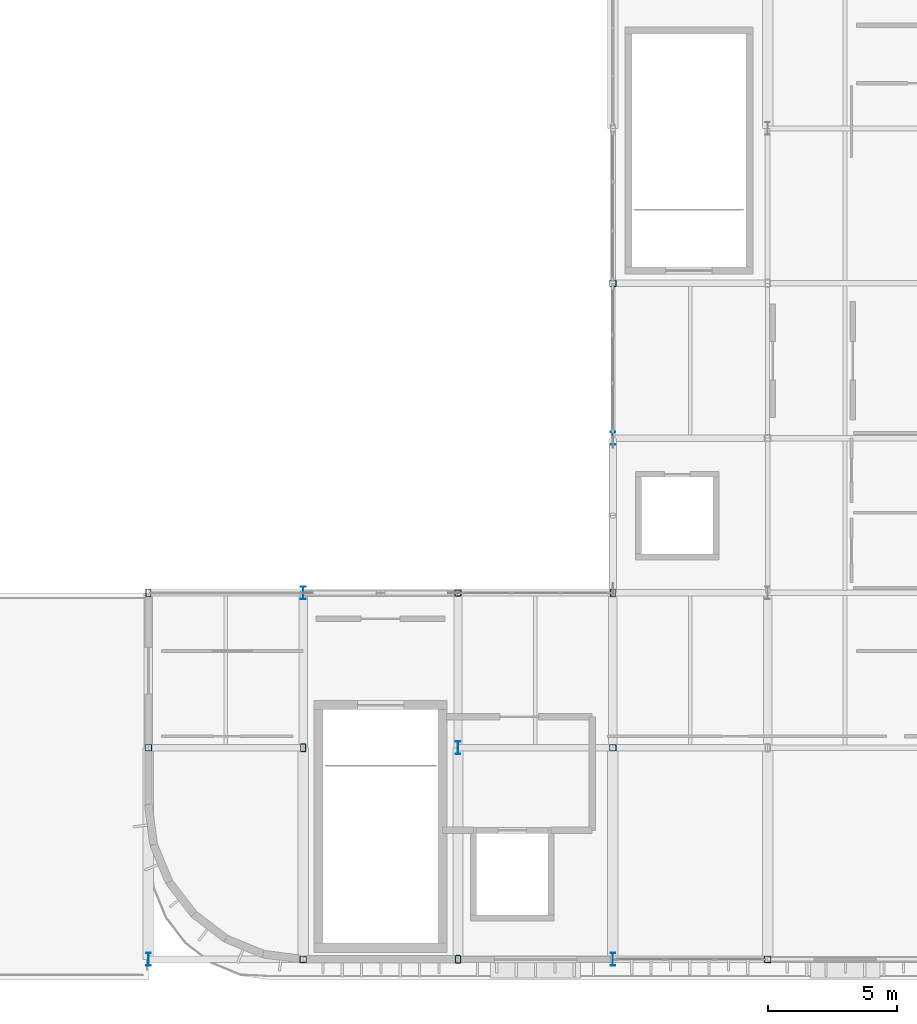
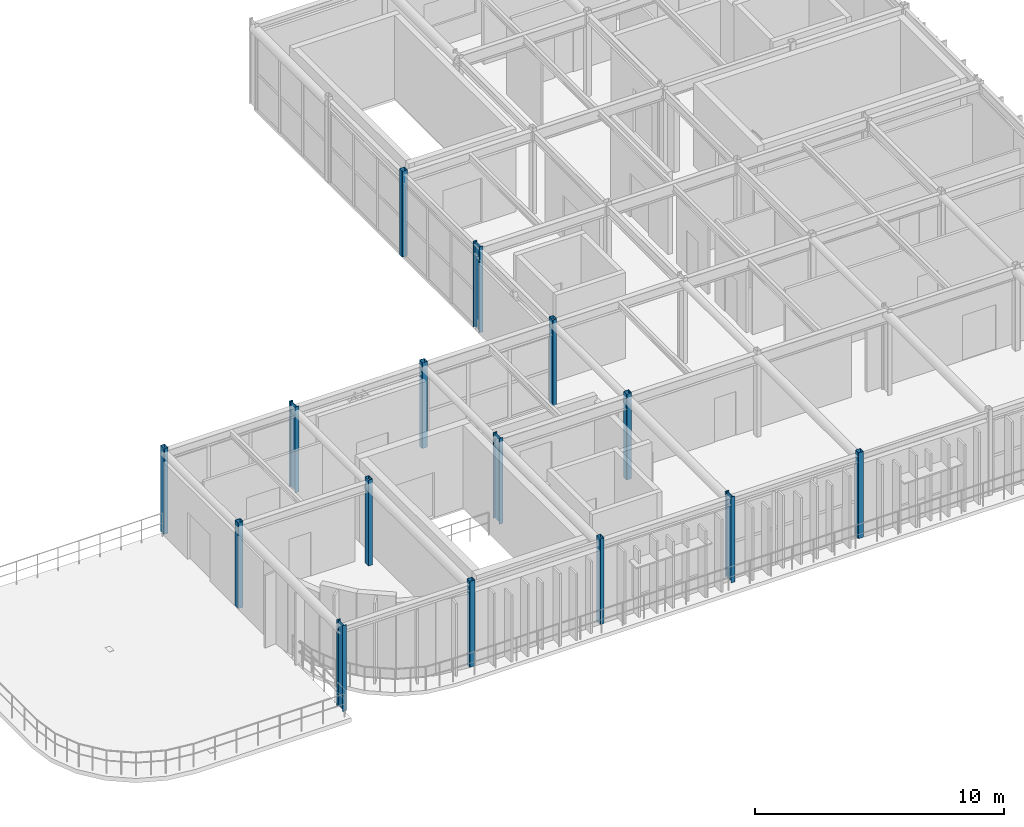
# One storey, part 1 of 14: 15 columns.
"""IFC4 building model written with IfcOpenShell, lengths in metres."""

from ifc_helpers import new_model, si_unit, direction, frame, origin, origin_2d, place, context, subcontext, project, spatial, hollow_rectangle, i_section, extrude, material, material_profile, profile_set, type_object, element, save


model = new_model("IFC4")

# Units and contexts
model_context = context("Model", 3, precision=1e-05, world=origin(), true_north=direction((0.0, 1.0)))
body_context = subcontext(model_context, "Body", "Model", "MODEL_VIEW")
ifc_project = project(units=[si_unit("LENGTHUNIT", "METRE"), si_unit("AREAUNIT", "SQUARE_METRE"), si_unit("VOLUMEUNIT", "CUBIC_METRE"), si_unit("PLANEANGLEUNIT", "RADIAN"), si_unit("MASSUNIT", "GRAM", prefix="KILO")], contexts=[model_context])

# Site, building, storey
site_placement = place(None, origin())
site = spatial("IfcSite", under=ifc_project, at=site_placement, CompositionType="ELEMENT")
building_placement = place(site_placement, origin())
building = spatial("IfcBuilding", under=site, at=building_placement, Name="Varnakota Square Police Headquarters", CompositionType="ELEMENT")
storey_placement = place(building_placement, frame((0.0, 0.0, 30.0)))
storey = spatial("IfcBuildingStorey", under=building, at=storey_placement, Name="L07", CompositionType="ELEMENT", Elevation=30.0)

# Columns
ifc_material = material(Name="Steel IS 2062 Grade 350", Category="steel")
ifc_material_profile_1 = material_profile(ifc_material, i_section(OverallWidth=0.179931640625, OverallDepth=0.5, WebThickness=0.01025390625, FlangeThickness=0.01708984375, FilletRadius=0.01708984375, at=origin_2d()), Name="ISMB 500")
ifc_profile_set_1 = profile_set([ifc_material_profile_1], Name="Steel IS 2062 Grade 350")
column_type_1 = type_object("IfcColumnType", Name="COL-ISMB500", PredefinedType="COLUMN", material=ifc_profile_set_1)
for number, where, z_axis, x_axis, name in (
    (1, (120.0, 0.800048828125, 0.0), (0.0, 0.0, 1.0), (1.0, 0.0, 0.0), "Column X1200-Y0008 L07"),
    (2, (126.0, 15.0, 0.0), (0.0, 0.0, 1.0), (1.0, 0.0, 0.0), "Column X1260-Y0150 L07"),
    (3, (132.0, 9.0, 0.0), (0.0, 0.0, 1.0), (1.0, 0.0, 0.0), "Column X1320-Y0090 L07"),
    (4, (138.0, 0.800048828125, 0.0), (0.0, 0.0, 1.0), (1.0, 0.0, 0.0), "Column X1380-Y0008 L07"),
    (5, (138.0, 21.0, 0.0), (0.0, 0.0, 1.0), (1.0, 0.0, 0.0), "Column X1380-Y0210 L07"),
):
    element("IfcColumn", number, at=place(storey_placement, frame(where, z_axis=z_axis, x_axis=x_axis)), inside=storey, type_object=column_type_1, Name=name, PredefinedType="COLUMN", context=body_context, shape_type="SweptSolid", body=[
        extrude(i_section(OverallWidth=0.179931640625, OverallDepth=0.5, WebThickness=0.01025390625, FlangeThickness=0.01708984375, FilletRadius=0.01708984375, at=origin_2d()), origin(), (0.0, 0.0, 1.0), 4.199951171875),
    ])
ifc_material_profile_2 = material_profile(ifc_material, hollow_rectangle(XDim=0.199951171875, YDim=0.300048828125, WallThickness=0.011962890625, InnerFilletRadius=0.011962890625, OuterFilletRadius=0.02392578125, at=origin_2d()), Name="RHS 300x200x12")
ifc_profile_set_2 = profile_set([ifc_material_profile_2], Name="Steel IS 2062 Grade 350")
column_type_2 = type_object("IfcColumnType", Name="COL-RHS300", PredefinedType="COLUMN", material=ifc_profile_set_2)
for number, where, z_axis, x_axis, name in (
    (6, (120.0, 15.0, 0.0), (0.0, 0.0, 1.0), (1.0, 0.0, 0.0), "Column X1200-Y0150 L07"),
    (7, (126.0, 9.0, 0.0), (0.0, 0.0, 1.0), (1.0, 0.0, 0.0), "Column X1260-Y0090 L07"),
    (8, (132.0, 0.800048828125, 0.0), (0.0, 0.0, 1.0), (1.0, 0.0, 0.0), "Column X1320-Y0008 L07"),
    (9, (138.0, 15.0, 0.0), (0.0, 0.0, 1.0), (1.0, 0.0, 0.0), "Column X1380-Y0150 L07"),
):
    element("IfcColumn", number, at=place(storey_placement, frame(where, z_axis=z_axis, x_axis=x_axis)), inside=storey, type_object=column_type_2, Name=name, PredefinedType="COLUMN", context=body_context, shape_type="SweptSolid", body=[
        extrude(hollow_rectangle(XDim=0.199951171875, YDim=0.300048828125, WallThickness=0.011962890625, InnerFilletRadius=0.011962890625, OuterFilletRadius=0.02392578125, at=origin_2d()), origin(), (0.0, 0.0, 1.0), 4.199951171875),
    ])
ifc_material_profile_3 = material_profile(ifc_material, hollow_rectangle(XDim=0.25, YDim=0.25, WallThickness=0.011962890625, InnerFilletRadius=0.011962890625, OuterFilletRadius=0.02392578125, at=origin_2d()), Name="SHS 250x250x12")
ifc_profile_set_3 = profile_set([ifc_material_profile_3], Name="Steel IS 2062 Grade 350")
column_type_3 = type_object("IfcColumnType", Name="COL-SHS250", PredefinedType="COLUMN", material=ifc_profile_set_3)
for number, where, z_axis, x_axis, name in (
    (10, (120.0, 9.0, 0.0), (0.0, 0.0, 1.0), (1.0, 0.0, 0.0), "Column X1200-Y0090 L07"),
    (11, (126.0, 0.800048828125, 0.0), (0.0, 0.0, 1.0), (1.0, 0.0, 0.0), "Column X1260-Y0008 L07"),
    (12, (132.0, 15.0, 0.0), (0.0, 0.0, 1.0), (1.0, 0.0, 0.0), "Column X1320-Y0150 L07"),
    (13, (138.0, 9.0, 0.0), (0.0, 0.0, 1.0), (1.0, 0.0, 0.0), "Column X1380-Y0090 L07"),
    (14, (138.0, 27.0, 0.0), (0.0, 0.0, 1.0), (1.0, 0.0, 0.0), "Column X1380-Y0270 L07"),
    (15, (144.0, 0.800048828125, 0.0), (0.0, 0.0, 1.0), (1.0, 0.0, 0.0), "Column X1440-Y0008 L07"),
):
    element("IfcColumn", number, at=place(storey_placement, frame(where, z_axis=z_axis, x_axis=x_axis)), inside=storey, type_object=column_type_3, Name=name, PredefinedType="COLUMN", context=body_context, shape_type="SweptSolid", body=[
        extrude(hollow_rectangle(XDim=0.25, YDim=0.25, WallThickness=0.011962890625, InnerFilletRadius=0.011962890625, OuterFilletRadius=0.02392578125, at=origin_2d()), origin(), (0.0, 0.0, 1.0), 4.199951171875),
    ])

save(model, "model.ifc")
